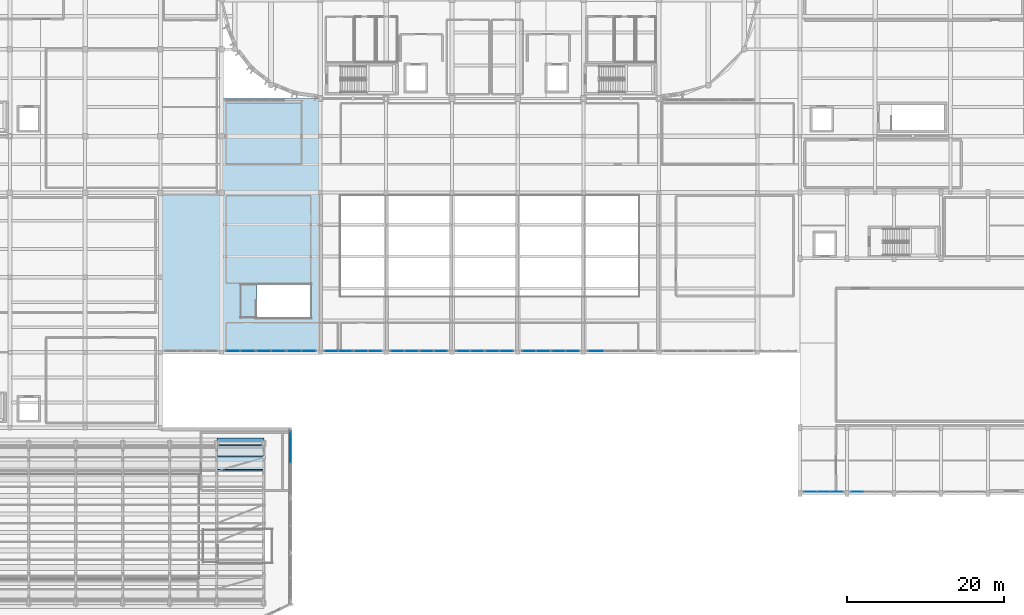
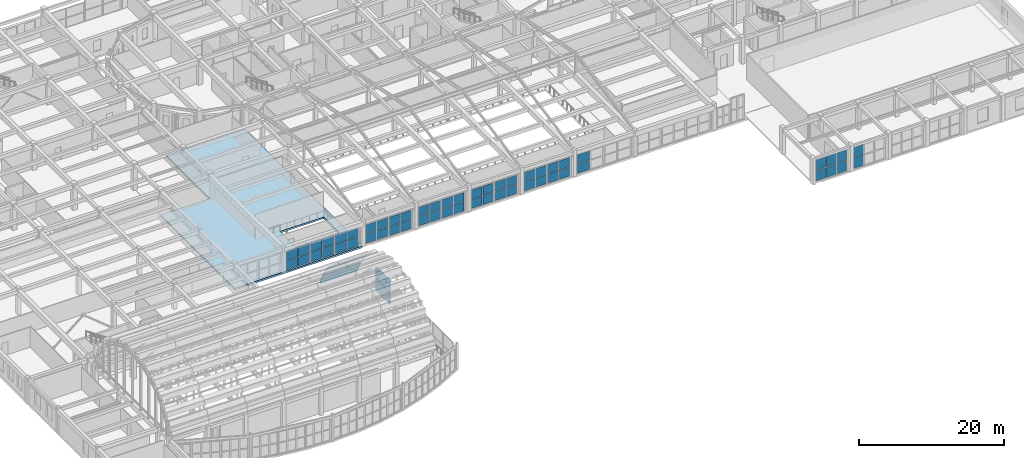
# One storey, part 59 of 91: 59 plates, 1 slab, 15 elements without a shape of their own.
"""IFC4 building model written with IfcOpenShell, lengths in metres."""

import ifcopenshell
import ifcopenshell.guid

model = None  # the IFC model being written
_history = None  # IfcOwnerHistory: only IFC2X3 demands one
_inside = {}  # id of a spatial element -> (the spatial element, [elements in it])
_under = {}  # id of a project, library or spatial element -> (it, [spatial elements below it])
_declared = {}  # id of a project -> (the project, [libraries it declares])
_typed = {}  # id of a type object -> (the type object, [elements of that type])
_made_of = {}  # id of a material, layer set ... -> (it, [elements and type objects made of it])


def new_model(schema):
    """Start an empty IFC model of exactly this schema.

    Asked for "IFC4X3", IfcOpenShell would pick the latest addendum, in which some entities
    have other attributes; the version numbers below select the first issue.
    IFC2X3 requires an IfcOwnerHistory on every rooted entity: one is made here for all.
    """
    global model, _history
    if schema == "IFC4X3":
        model = ifcopenshell.file(schema_version=(4, 3, 0, 0))
    else:
        model = ifcopenshell.file(schema=schema)
    _inside.clear()
    _under.clear()
    _declared.clear()
    _typed.clear()
    _made_of.clear()
    _history = None
    if model.schema == "IFC2X3":
        org = make("IfcOrganization", Name="unknown")
        user = make(
            "IfcPersonAndOrganization",
            ThePerson=make("IfcPerson", FamilyName="unknown"),
            TheOrganization=org,
        )
        app = make(
            "IfcApplication",
            ApplicationDeveloper=org,
            Version="unknown",
            ApplicationFullName="unknown",
            ApplicationIdentifier="unknown",
        )
        _history = make(
            "IfcOwnerHistory",
            OwningUser=user,
            OwningApplication=app,
            ChangeAction="ADDED",
            CreationDate=0,
        )
    return model


def make(cls, **values):
    """One entity of the class cls with the attributes given. An attribute that is None is left unset."""
    return model.create_entity(
        cls, **{name: value for name, value in values.items() if value is not None}
    )


def rooted(cls, **values):
    """An entity with a GlobalId (a new one), such as an element, a storey or a relation."""
    return make(cls, GlobalId=ifcopenshell.guid.new(), OwnerHistory=_history, **values)


def si_unit(unit_type, name, prefix=None):
    """IfcSIUnit, for example si_unit("LENGTHUNIT", "METRE", prefix="MILLI")."""
    return make("IfcSIUnit", UnitType=unit_type, Prefix=prefix, Name=name)


def assignment(units):
    """IfcUnitAssignment: the units of a project."""
    return None if units is None else make("IfcUnitAssignment", Units=units)


def point(xyz):
    """IfcCartesianPoint."""
    return None if xyz is None else make("IfcCartesianPoint", Coordinates=xyz)


def direction(xyz):
    """IfcDirection."""
    return None if xyz is None else make("IfcDirection", DirectionRatios=xyz)


def frame(location, z_axis=None, x_axis=None):
    """IfcAxis2Placement3D, a coordinate frame: its origin and axes. An axis left out is left unset."""
    return make(
        "IfcAxis2Placement3D",
        Location=point(location),
        Axis=direction(z_axis),
        RefDirection=direction(x_axis),
    )


def frame_2d(location, x_axis=None):
    """IfcAxis2Placement2D, a coordinate frame in the plane: its origin and x axis."""
    return make(
        "IfcAxis2Placement2D", Location=point(location), RefDirection=direction(x_axis)
    )


def origin():
    """The frame at (0, 0, 0) with its axes left unset."""
    return frame((0.0, 0.0, 0.0))


def origin_2d():
    """The frame at (0, 0) in the plane with its x axis left unset."""
    return frame_2d((0.0, 0.0))


def place(relative_to, where):
    """IfcLocalPlacement: puts the frame where relative to a parent placement (None: the world)."""
    return make(
        "IfcLocalPlacement", PlacementRelTo=relative_to, RelativePlacement=where
    )


def context(
    kind, dimensions, precision=None, world=None, true_north=None, identifier=None
):
    """IfcGeometricRepresentationContext, for example the 3D "Model" context."""
    return make(
        "IfcGeometricRepresentationContext",
        ContextIdentifier=identifier,
        ContextType=kind,
        CoordinateSpaceDimension=dimensions,
        Precision=precision,
        WorldCoordinateSystem=world,
        TrueNorth=true_north,
    )


def subcontext(parent, identifier, kind, view, scale=None):
    """IfcGeometricRepresentationSubContext, for example "Body" below "Model"."""
    return make(
        "IfcGeometricRepresentationSubContext",
        ContextIdentifier=identifier,
        ContextType=kind,
        ParentContext=parent,
        TargetScale=scale,
        TargetView=view,
    )


def project(units=None, contexts=None):
    """IfcProject with its units and contexts."""
    return rooted(
        "IfcProject",
        Name="project",
        RepresentationContexts=contexts,
        UnitsInContext=assignment(units),
    )


def spatial(cls, under=None, at=None, **own):
    """A site, building, storey or space (cls), placed at a placement, below another one or the project."""
    s = rooted(cls, ObjectPlacement=at, **own)
    if under is not None:
        _under.setdefault(under.id(), (under, []))[1].append(s)
    return s


def polyline(points):
    """IfcPolyline through the points."""
    return make("IfcPolyline", Points=[point(p) for p in points])


def profile(cls, at=None, kind="AREA", **sizes):
    """A parametric profile (cls). Its sizes go by their IFC names, for example OverallWidth=200.0."""
    return make(cls, ProfileType=kind, Position=at, **sizes)


def rectangle(**sizes):
    """IfcRectangleProfileDef."""
    return profile("IfcRectangleProfileDef", **sizes)


def outline(outer, holes=None, kind="AREA"):
    """IfcArbitraryClosedProfileDef: a profile drawn as a closed curve; with holes, ...WithVoids."""
    if holes is None:
        return make("IfcArbitraryClosedProfileDef", ProfileType=kind, OuterCurve=outer)
    return make(
        "IfcArbitraryProfileDefWithVoids",
        ProfileType=kind,
        OuterCurve=outer,
        InnerCurves=holes,
    )


def extrude(swept, where, along, depth):
    """IfcExtrudedAreaSolid: the profile swept, set in the frame where, extruded along a direction by depth."""
    return make(
        "IfcExtrudedAreaSolid",
        SweptArea=swept,
        Position=where,
        ExtrudedDirection=direction(along),
        Depth=depth,
    )


def shape(context_of_items, identifier, shape_type, items):
    """IfcShapeRepresentation: the items that make up one representation, for example the "Body"."""
    return make(
        "IfcShapeRepresentation",
        ContextOfItems=context_of_items,
        RepresentationIdentifier=identifier,
        RepresentationType=shape_type,
        Items=items,
    )


def material(Name=None, Category=None):
    """IfcMaterial."""
    return make("IfcMaterial", Name=Name, Category=Category)


def layer(
    of_material, thickness, ventilated=None, Name=None, Category=None, Priority=None
):
    """IfcMaterialLayer: one layer of a wall or slab, of a material (None: an air gap)."""
    return make(
        "IfcMaterialLayer",
        Material=of_material,
        LayerThickness=thickness,
        IsVentilated=ventilated,
        Name=Name,
        Category=Category,
        Priority=Priority,
    )


def layer_set(layers, Name=None):
    """IfcMaterialLayerSet."""
    return make("IfcMaterialLayerSet", MaterialLayers=layers, LayerSetName=Name)


def made_of(thing, what):
    """Note that an element or type object is made of a material, layer set ...; save() writes the relation."""
    if what is not None:
        _made_of.setdefault(what.id(), (what, []))[1].append(thing)
    return thing


def type_object(cls, material=None, **own):
    """A type object (cls), such as IfcWallType, which elements share."""
    return made_of(rooted(cls, **own), material)


def element(
    cls,
    number,
    at=None,
    inside=None,
    cuts=None,
    type_object=None,
    material=None,
    context=None,
    identifier="Body",
    shape_type=None,
    held_by="IfcProductDefinitionShape",
    body=None,
    shapes=None,
    **own,
):
    """One element of the class cls, such as IfcWall. Its Tag is "e" and its number.

    at: its placement. inside: the storey or other place that contains it. cuts: it is an
    opening in that element (IfcRelVoidsElement). A single representation is given by context,
    identifier, shape_type and body (its items); several are given by shapes. held_by: the class
    of the entity that holds the representations. save() writes the other relations.
    """
    e = rooted(cls, Tag="e%d" % number, ObjectPlacement=at, **own)
    if body is not None:
        shapes = [shape(context, identifier, shape_type, body)]
    if shapes is not None:
        e.Representation = make(held_by, Representations=shapes)
    if inside is not None:
        _inside.setdefault(inside.id(), (inside, []))[1].append(e)
    if cuts is not None:
        rooted(
            "IfcRelVoidsElement", RelatingBuildingElement=cuts, RelatedOpeningElement=e
        )
    if type_object is not None:
        _typed.setdefault(type_object.id(), (type_object, []))[1].append(e)
    return made_of(e, material)


def aggregate(whole, parts):
    """IfcRelAggregates: a whole, such as a stair, and the parts it consists of."""
    return rooted("IfcRelAggregates", RelatingObject=whole, RelatedObjects=parts)


def save(model, path):
    """Write the relations noted so far, then the file.

    IfcRelAggregates (storeys below a building ...), IfcRelContainedInSpatialStructure (elements
    in a storey), IfcRelDefinesByType, IfcRelAssociatesMaterial and IfcRelDeclares: one each for
    every whole, place, type object, material and project.
    """
    for whole, parts in _under.values():
        aggregate(whole, parts)
    for where, things in _inside.values():
        rooted(
            "IfcRelContainedInSpatialStructure",
            RelatedElements=things,
            RelatingStructure=where,
        )
    for kind, things in _typed.values():
        rooted("IfcRelDefinesByType", RelatedObjects=things, RelatingType=kind)
    for what, things in _made_of.values():
        rooted("IfcRelAssociatesMaterial", RelatedObjects=things, RelatingMaterial=what)
    for by, libraries in _declared.values():
        rooted("IfcRelDeclares", RelatingContext=by, RelatedDefinitions=libraries)
    model.write(path)


model = new_model("IFC4")

# Units and contexts
model_context = context("Model", 3, precision=1e-05, world=origin(), true_north=direction((0.0, 1.0)))
body_context = subcontext(model_context, "Body", "Model", "MODEL_VIEW")
ifc_project = project(units=[si_unit("LENGTHUNIT", "METRE"), si_unit("AREAUNIT", "SQUARE_METRE"), si_unit("VOLUMEUNIT", "CUBIC_METRE"), si_unit("PLANEANGLEUNIT", "RADIAN"), si_unit("MASSUNIT", "GRAM", prefix="KILO")], contexts=[model_context])

# Site, building, storey
site_placement = place(None, origin())
site = spatial("IfcSite", under=ifc_project, at=site_placement, CompositionType="ELEMENT")
building_placement = place(site_placement, origin())
building = spatial("IfcBuilding", under=site, at=building_placement, Name="Tarnavel Promenade Courthouse", CompositionType="ELEMENT")
storey_placement = place(building_placement, frame((0.0, 0.0, 9.89990234375)))
storey = spatial("IfcBuildingStorey", under=building, at=storey_placement, Name="L03", CompositionType="ELEMENT", Elevation=9.89990234375)

# Slab
ifc_material_1 = material(Name="Concrete C40/50", Category="concrete")
ifc_layer_1 = layer(ifc_material_1, 0.300048828125)
ifc_layer_set_1 = layer_set([ifc_layer_1], Name="Concrete C40/50")
slab_type = type_object("IfcSlabType", Name="Concrete C40/50 SLB-STK-300 (300 mm)", PredefinedType="FLOOR", material=ifc_layer_set_1)
slab_placement = place(storey_placement, frame((0.0, 0.0, -0.2998046875)))
element("IfcSlab", 1, at=slab_placement, inside=storey, type_object=slab_type, Name="L03 Winter-Garden West Concourse Slab", PredefinedType="FLOOR", context=body_context, shape_type="SweptSolid", body=[
    extrude(outline(polyline([(38.419921875, 46.800048828125), (58.780029296875, 46.800048828125), (58.780029296875, 79.179931640625), (46.219970703125, 79.179931640625), (46.219970703125, 67.179931640625), (38.419921875, 67.179931640625), (38.419921875, 46.800048828125)]), holes=[polyline([(50.695068359375, 51.199951171875), (57.60009765625, 51.199951171875), (57.60009765625, 55.5), (50.695068359375, 55.5), (50.695068359375, 51.199951171875)])]), origin(), (0.0, 0.0, 1.0), 0.2998046875),
])

# Plates
ifc_material_2 = material(Name="Standing-Seam Copper Insulated Roof Assembly")
ifc_layer_2 = layer(ifc_material_2, 0.175048828125)
ifc_layer_set_2 = layer_set([ifc_layer_2], Name="Standing-Seam Copper Insulated Roof Assembly")
plate_type_1 = type_object("IfcPlateType", Name="Standing-Seam Copper Insulated Roof Assembly PLT-VLT-V4-LOW (175 mm)", PredefinedType="SHEET", material=ifc_layer_set_2)
plate_1_placement = place(storey_placement, frame((45.60009765625, 31.868408203125, 10.72314453125), z_axis=(0.0, 0.692707578218, 0.721218559855), x_axis=(1.0, 0.0, 0.0)))
element("IfcPlate", 2, at=plate_1_placement, inside=storey, type_object=plate_type_1, Name="Barrel Vault Roof Panel V4 Bay 07 Facet 10", PredefinedType="SHEET", context=body_context, shape_type="SweptSolid", body=[
    extrude(outline(polyline([(0.0, 0.0), (6.0, 0.0), (6.0, 2.4575919647123), (0.0, 2.4575919647123), (0.0, 0.0)])), origin(), (0.0, 0.0, -1.0), 0.175048828125),
])
plate_2_placement = place(storey_placement, frame((45.60009765625, 33.640869140625, 9.020751953125), z_axis=(0.0, 0.83266118003, 0.553782772639), x_axis=(1.0, 0.0, 0.0)))
element("IfcPlate", 3, at=plate_2_placement, inside=storey, type_object=plate_type_1, Name="Barrel Vault Roof Panel V4 Bay 07 Facet 11", PredefinedType="SHEET", context=body_context, shape_type="SweptSolid", body=[
    extrude(outline(polyline([(0.0, 0.0), (6.0, 0.0), (6.0, 2.457353155399839), (0.0, 2.457353155399839), (0.0, 0.0)])), origin(), (0.0, 0.0, -1.0), 0.175048828125),
])
plate_3_placement = place(storey_placement, frame((45.60009765625, 35.001708984375, 6.974609375), z_axis=(0.0, 0.906108548718, 0.423045267011), x_axis=(1.0, 0.0, 0.0)))
element("IfcPlate", 4, at=plate_3_placement, inside=storey, type_object=plate_type_1, Name="Barrel Vault Roof Panel V4 Bay 07 Facet 12", PredefinedType="SHEET", context=body_context, shape_type="SweptSolid", body=[
    extrude(outline(polyline([(0.0, 0.0), (6.0, 0.0), (6.0, 2.0908435889725268), (0.0, 2.0908435889725268), (0.0, 0.0)])), origin(), (0.0, 0.0, -1.0), 0.175048828125),
])

# Curtain wall, plates
ifc_material_3 = material(Name="Thermally Broken Anodised Aluminium Curtain Wall System", Category="aluminium")
ifc_layer_3 = layer(ifc_material_3, 0.219970703125)
ifc_layer_set_3 = layer_set([ifc_layer_3], Name="Thermally Broken Anodised Aluminium Curtain Wall System")
curtain_wall_type_1 = type_object("IfcCurtainWallType", Name="Thermally Broken Aluminium Triple-Glazed Curtain Wall CW-DRUM", PredefinedType="NOTDEFINED", material=ifc_layer_set_3)
curtain_wall_1_placement = place(storey_placement, origin())
curtain_wall_1 = element("IfcCurtainWall", 5, at=curtain_wall_1_placement, inside=storey, type_object=curtain_wall_type_1, Name="L03 Public Drum East Return Curtain Wall 041", PredefinedType="NOTDEFINED")
ifc_material_4 = material(Name="Triple Low-E Argon Insulated Glazing", Category="glass")
ifc_layer_4 = layer(ifc_material_4, 0.048095703125)
ifc_layer_set_4 = layer_set([ifc_layer_4], Name="Triple Low-E Argon Insulated Glazing")
plate_type_2 = type_object("IfcPlateType", Name="Triple Low-E Argon Insulated Glazing Unit CWP-48 (48 mm)", PredefinedType="CURTAIN_PANEL", material=ifc_layer_set_4)
plate_4_placement = place(storey_placement, frame((54.97998046875, 34.677490234375, 0.080078125), z_axis=(0.0, 0.0, 1.0), x_axis=(0.0, 1.0, 0.0)))
plate_4 = element("IfcPlate", 6, at=plate_4_placement, type_object=plate_type_2, Name="CW-01 panel 2.1", PredefinedType="CURTAIN_PANEL", context=body_context, shape_type="SweptSolid", body=[
    extrude(rectangle(XDim=4.06494140625, YDim=0.048095703125, at=origin_2d()), origin(), (0.0, 0.0, 1.0), 1.989990234375),
])
plate_5_placement = place(storey_placement, frame((54.97998046875, 34.677490234375, 2.14990234375), z_axis=(0.0, 0.0, 1.0), x_axis=(0.0, 1.0, 0.0)))
plate_5 = element("IfcPlate", 7, at=plate_5_placement, type_object=plate_type_2, Name="CW-01 panel 2.2", PredefinedType="CURTAIN_PANEL", context=body_context, shape_type="SweptSolid", body=[
    extrude(rectangle(XDim=4.06494140625, YDim=0.048095703125, at=origin_2d()), origin(), (0.0, 0.0, 1.0), 1.989990234375),
])
aggregate(curtain_wall_1, [plate_4, plate_5])

ifc_layer_5 = layer(ifc_material_3, 0.199951171875)
ifc_layer_set_5 = layer_set([ifc_layer_5], Name="Thermally Broken Anodised Aluminium Curtain Wall System")
curtain_wall_type_2 = type_object("IfcCurtainWallType", Name="Thermally Broken Aluminium Triple-Glazed Curtain Wall CW-FOYER", PredefinedType="NOTDEFINED", material=ifc_layer_set_5)
curtain_wall_2_placement = place(storey_placement, origin())
curtain_wall_2 = element("IfcCurtainWall", 8, at=curtain_wall_2_placement, inside=storey, type_object=curtain_wall_type_2, Name="L03 Ceremonial Cloister Curtain Wall 177", PredefinedType="NOTDEFINED")
plate_6_placement = place(storey_placement, frame((121.322509765625, 29.02001953125, 0.080078125), z_axis=(0.0, 0.0, 1.0), x_axis=(1.0, 0.0, 0.0)))
plate_6 = element("IfcPlate", 9, at=plate_6_placement, type_object=plate_type_2, Name="CW-04 panel 1.1", PredefinedType="CURTAIN_PANEL", context=body_context, shape_type="SweptSolid", body=[
    extrude(rectangle(XDim=1.56494140625, YDim=0.048095703125, at=origin_2d()), origin(), (0.0, 0.0, 1.0), 1.7451171875),
])
plate_7_placement = place(storey_placement, frame((121.322509765625, 29.02001953125, 1.905029296875), z_axis=(0.0, 0.0, 1.0), x_axis=(1.0, 0.0, 0.0)))
plate_7 = element("IfcPlate", 10, at=plate_7_placement, type_object=plate_type_2, Name="CW-04 panel 1.2", PredefinedType="CURTAIN_PANEL", context=body_context, shape_type="SweptSolid", body=[
    extrude(rectangle(XDim=1.56494140625, YDim=0.048095703125, at=origin_2d()), origin(), (0.0, 0.0, 1.0), 1.7451171875),
])
plate_8_placement = place(storey_placement, frame((123.0, 29.02001953125, 0.080078125), z_axis=(0.0, 0.0, 1.0), x_axis=(1.0, 0.0, 0.0)))
plate_8 = element("IfcPlate", 11, at=plate_8_placement, type_object=plate_type_2, Name="CW-04 panel 2.1", PredefinedType="CURTAIN_PANEL", context=body_context, shape_type="SweptSolid", body=[
    extrude(rectangle(XDim=1.610107421875, YDim=0.048095703125, at=origin_2d()), origin(), (0.0, 0.0, 1.0), 1.7451171875),
])
plate_9_placement = place(storey_placement, frame((123.0, 29.02001953125, 1.905029296875), z_axis=(0.0, 0.0, 1.0), x_axis=(1.0, 0.0, 0.0)))
plate_9 = element("IfcPlate", 12, at=plate_9_placement, type_object=plate_type_2, Name="CW-04 panel 2.2", PredefinedType="CURTAIN_PANEL", context=body_context, shape_type="SweptSolid", body=[
    extrude(rectangle(XDim=1.610107421875, YDim=0.048095703125, at=origin_2d()), origin(), (0.0, 0.0, 1.0), 1.7451171875),
])
plate_10_placement = place(storey_placement, frame((124.677490234375, 29.02001953125, 0.080078125), z_axis=(0.0, 0.0, 1.0), x_axis=(1.0, 0.0, 0.0)))
plate_10 = element("IfcPlate", 13, at=plate_10_placement, type_object=plate_type_2, Name="CW-04 panel 3.1", PredefinedType="CURTAIN_PANEL", context=body_context, shape_type="SweptSolid", body=[
    extrude(rectangle(XDim=1.56494140625, YDim=0.048095703125, at=origin_2d()), origin(), (0.0, 0.0, 1.0), 1.7451171875),
])
plate_11_placement = place(storey_placement, frame((124.677490234375, 29.02001953125, 1.905029296875), z_axis=(0.0, 0.0, 1.0), x_axis=(1.0, 0.0, 0.0)))
plate_11 = element("IfcPlate", 14, at=plate_11_placement, type_object=plate_type_2, Name="CW-04 panel 3.2", PredefinedType="CURTAIN_PANEL", context=body_context, shape_type="SweptSolid", body=[
    extrude(rectangle(XDim=1.56494140625, YDim=0.048095703125, at=origin_2d()), origin(), (0.0, 0.0, 1.0), 1.7451171875),
])
aggregate(curtain_wall_2, [plate_6, plate_7, plate_8, plate_9, plate_10, plate_11])

curtain_wall_3_placement = place(storey_placement, origin())
curtain_wall_3 = element("IfcCurtainWall", 15, at=curtain_wall_3_placement, inside=storey, type_object=curtain_wall_type_2, Name="L03 Ceremonial Cloister Curtain Wall 178", PredefinedType="NOTDEFINED")
plate_12_placement = place(storey_placement, frame((127.322509765625, 29.02001953125, 0.080078125), z_axis=(0.0, 0.0, 1.0), x_axis=(1.0, 0.0, 0.0)))
plate_12 = element("IfcPlate", 16, at=plate_12_placement, type_object=plate_type_2, Name="CW-04 panel 1.1", PredefinedType="CURTAIN_PANEL", context=body_context, shape_type="SweptSolid", body=[
    extrude(rectangle(XDim=1.56494140625, YDim=0.048095703125, at=origin_2d()), origin(), (0.0, 0.0, 1.0), 1.7451171875),
])
plate_13_placement = place(storey_placement, frame((127.322509765625, 29.02001953125, 1.905029296875), z_axis=(0.0, 0.0, 1.0), x_axis=(1.0, 0.0, 0.0)))
plate_13 = element("IfcPlate", 17, at=plate_13_placement, type_object=plate_type_2, Name="CW-04 panel 1.2", PredefinedType="CURTAIN_PANEL", context=body_context, shape_type="SweptSolid", body=[
    extrude(rectangle(XDim=1.56494140625, YDim=0.048095703125, at=origin_2d()), origin(), (0.0, 0.0, 1.0), 1.7451171875),
])
aggregate(curtain_wall_3, [plate_12, plate_13])

ifc_layer_6 = layer(ifc_material_3, 0.239990234375)
ifc_layer_set_6 = layer_set([ifc_layer_6], Name="Thermally Broken Anodised Aluminium Curtain Wall System")
curtain_wall_type_3 = type_object("IfcCurtainWallType", Name="Thermally Broken Aluminium Triple-Glazed Curtain Wall CW-WG-S", PredefinedType="NOTDEFINED", material=ifc_layer_set_6)
curtain_wall_4_placement = place(storey_placement, origin())
curtain_wall_4 = element("IfcCurtainWall", 18, at=curtain_wall_4_placement, inside=storey, type_object=curtain_wall_type_3, Name="L03 Winter-Garden South Solar Curtain Wall 084", PredefinedType="NOTDEFINED")
ifc_layer_7 = layer(ifc_material_4, 0.053955078125)
ifc_layer_set_7 = layer_set([ifc_layer_7], Name="Triple Low-E Argon Insulated Glazing")
plate_type_3 = type_object("IfcPlateType", Name="Triple Low-E Argon Insulated Glazing Unit CWP-54 (54 mm)", PredefinedType="CURTAIN_PANEL", material=ifc_layer_set_7)
plate_14_placement = place(storey_placement, frame((47.66748046875, 47.0, 0.080078125), z_axis=(0.0, 0.0, 1.0), x_axis=(1.0, 0.0, 0.0)))
plate_14 = element("IfcPlate", 19, at=plate_14_placement, type_object=plate_type_3, Name="CW-02 panel 1.1", PredefinedType="CURTAIN_PANEL", context=body_context, shape_type="SweptSolid", body=[
    extrude(rectangle(XDim=1.77490234375, YDim=0.053955078125, at=origin_2d()), origin(), (0.0, 0.0, 1.0), 1.52001953125),
])
plate_15_placement = place(storey_placement, frame((47.66748046875, 47.0, 1.68017578125), z_axis=(0.0, 0.0, 1.0), x_axis=(1.0, 0.0, 0.0)))
plate_15 = element("IfcPlate", 20, at=plate_15_placement, type_object=plate_type_3, Name="CW-02 panel 1.2", PredefinedType="CURTAIN_PANEL", context=body_context, shape_type="SweptSolid", body=[
    extrude(rectangle(XDim=1.77490234375, YDim=0.053955078125, at=origin_2d()), origin(), (0.0, 0.0, 1.0), 1.52001953125),
])
plate_16_placement = place(storey_placement, frame((49.532470703125, 47.0, 0.080078125), z_axis=(0.0, 0.0, 1.0), x_axis=(1.0, 0.0, 0.0)))
plate_16 = element("IfcPlate", 21, at=plate_16_placement, type_object=plate_type_3, Name="CW-02 panel 2.1", PredefinedType="CURTAIN_PANEL", context=body_context, shape_type="SweptSolid", body=[
    extrude(rectangle(XDim=1.77490234375, YDim=0.053955078125, at=origin_2d()), origin(), (0.0, 0.0, 1.0), 1.52001953125),
])
plate_17_placement = place(storey_placement, frame((49.532470703125, 47.0, 1.68017578125), z_axis=(0.0, 0.0, 1.0), x_axis=(1.0, 0.0, 0.0)))
plate_17 = element("IfcPlate", 22, at=plate_17_placement, type_object=plate_type_3, Name="CW-02 panel 2.2", PredefinedType="CURTAIN_PANEL", context=body_context, shape_type="SweptSolid", body=[
    extrude(rectangle(XDim=1.77490234375, YDim=0.053955078125, at=origin_2d()), origin(), (0.0, 0.0, 1.0), 1.52001953125),
])
aggregate(curtain_wall_4, [plate_14, plate_15, plate_16, plate_17])

curtain_wall_5_placement = place(storey_placement, origin())
curtain_wall_5 = element("IfcCurtainWall", 23, at=curtain_wall_5_placement, inside=storey, type_object=curtain_wall_type_3, Name="L03 Winter-Garden South Solar Curtain Wall 085", PredefinedType="NOTDEFINED")
plate_18_placement = place(storey_placement, frame((51.5673828125, 47.0, 0.080078125), z_axis=(0.0, 0.0, 1.0), x_axis=(1.0, 0.0, 0.0)))
plate_18 = element("IfcPlate", 24, at=plate_18_placement, type_object=plate_type_3, Name="CW-02 panel 1.1", PredefinedType="CURTAIN_PANEL", context=body_context, shape_type="SweptSolid", body=[
    extrude(rectangle(XDim=1.77490234375, YDim=0.053955078125, at=origin_2d()), origin(), (0.0, 0.0, 1.0), 1.570068359375),
])
plate_19_placement = place(storey_placement, frame((51.5673828125, 47.0, 1.72998046875), z_axis=(0.0, 0.0, 1.0), x_axis=(1.0, 0.0, 0.0)))
plate_19 = element("IfcPlate", 25, at=plate_19_placement, type_object=plate_type_3, Name="CW-02 panel 1.2", PredefinedType="CURTAIN_PANEL", context=body_context, shape_type="SweptSolid", body=[
    extrude(rectangle(XDim=1.77490234375, YDim=0.053955078125, at=origin_2d()), origin(), (0.0, 0.0, 1.0), 1.570068359375),
])
plate_20_placement = place(storey_placement, frame((53.4326171875, 47.0, 0.080078125), z_axis=(0.0, 0.0, 1.0), x_axis=(1.0, 0.0, 0.0)))
plate_20 = element("IfcPlate", 26, at=plate_20_placement, type_object=plate_type_3, Name="CW-02 panel 2.1", PredefinedType="CURTAIN_PANEL", context=body_context, shape_type="SweptSolid", body=[
    extrude(rectangle(XDim=1.77490234375, YDim=0.053955078125, at=origin_2d()), origin(), (0.0, 0.0, 1.0), 1.570068359375),
])
plate_21_placement = place(storey_placement, frame((53.4326171875, 47.0, 1.72998046875), z_axis=(0.0, 0.0, 1.0), x_axis=(1.0, 0.0, 0.0)))
plate_21 = element("IfcPlate", 27, at=plate_21_placement, type_object=plate_type_3, Name="CW-02 panel 2.2", PredefinedType="CURTAIN_PANEL", context=body_context, shape_type="SweptSolid", body=[
    extrude(rectangle(XDim=1.77490234375, YDim=0.053955078125, at=origin_2d()), origin(), (0.0, 0.0, 1.0), 1.570068359375),
])
aggregate(curtain_wall_5, [plate_18, plate_19, plate_20, plate_21])

curtain_wall_6_placement = place(storey_placement, origin())
curtain_wall_6 = element("IfcCurtainWall", 28, at=curtain_wall_6_placement, inside=storey, type_object=curtain_wall_type_3, Name="L03 Winter-Garden South Solar Curtain Wall 086", PredefinedType="NOTDEFINED")
plate_22_placement = place(storey_placement, frame((55.467529296875, 47.0, 0.080078125), z_axis=(0.0, 0.0, 1.0), x_axis=(1.0, 0.0, 0.0)))
plate_22 = element("IfcPlate", 29, at=plate_22_placement, type_object=plate_type_3, Name="CW-02 panel 1.1", PredefinedType="CURTAIN_PANEL", context=body_context, shape_type="SweptSolid", body=[
    extrude(rectangle(XDim=1.77490234375, YDim=0.053955078125, at=origin_2d()), origin(), (0.0, 0.0, 1.0), 1.52001953125),
])
plate_23_placement = place(storey_placement, frame((55.467529296875, 47.0, 1.68017578125), z_axis=(0.0, 0.0, 1.0), x_axis=(1.0, 0.0, 0.0)))
plate_23 = element("IfcPlate", 30, at=plate_23_placement, type_object=plate_type_3, Name="CW-02 panel 1.2", PredefinedType="CURTAIN_PANEL", context=body_context, shape_type="SweptSolid", body=[
    extrude(rectangle(XDim=1.77490234375, YDim=0.053955078125, at=origin_2d()), origin(), (0.0, 0.0, 1.0), 1.52001953125),
])
plate_24_placement = place(storey_placement, frame((57.33251953125, 47.0, 0.080078125), z_axis=(0.0, 0.0, 1.0), x_axis=(1.0, 0.0, 0.0)))
plate_24 = element("IfcPlate", 31, at=plate_24_placement, type_object=plate_type_3, Name="CW-02 panel 2.1", PredefinedType="CURTAIN_PANEL", context=body_context, shape_type="SweptSolid", body=[
    extrude(rectangle(XDim=1.77490234375, YDim=0.053955078125, at=origin_2d()), origin(), (0.0, 0.0, 1.0), 1.52001953125),
])
plate_25_placement = place(storey_placement, frame((57.33251953125, 47.0, 1.68017578125), z_axis=(0.0, 0.0, 1.0), x_axis=(1.0, 0.0, 0.0)))
plate_25 = element("IfcPlate", 32, at=plate_25_placement, type_object=plate_type_3, Name="CW-02 panel 2.2", PredefinedType="CURTAIN_PANEL", context=body_context, shape_type="SweptSolid", body=[
    extrude(rectangle(XDim=1.77490234375, YDim=0.053955078125, at=origin_2d()), origin(), (0.0, 0.0, 1.0), 1.52001953125),
])
aggregate(curtain_wall_6, [plate_22, plate_23, plate_24, plate_25])

curtain_wall_7_placement = place(storey_placement, origin())
curtain_wall_7 = element("IfcCurtainWall", 33, at=curtain_wall_7_placement, inside=storey, type_object=curtain_wall_type_3, Name="L03 Winter-Garden South Solar Curtain Wall 087", PredefinedType="NOTDEFINED")
plate_26_placement = place(storey_placement, frame((60.22998046875, 47.0, 0.080078125), z_axis=(0.0, 0.0, 1.0), x_axis=(1.0, 0.0, 0.0)))
plate_26 = element("IfcPlate", 34, at=plate_26_placement, type_object=plate_type_3, Name="CW-02 panel 1.1", PredefinedType="CURTAIN_PANEL", context=body_context, shape_type="SweptSolid", body=[
    extrude(rectangle(XDim=1.699951171875, YDim=0.053955078125, at=origin_2d()), origin(), (0.0, 0.0, 1.0), 1.52001953125),
])
plate_27_placement = place(storey_placement, frame((60.22998046875, 47.0, 1.68017578125), z_axis=(0.0, 0.0, 1.0), x_axis=(1.0, 0.0, 0.0)))
plate_27 = element("IfcPlate", 35, at=plate_27_placement, type_object=plate_type_3, Name="CW-02 panel 1.2", PredefinedType="CURTAIN_PANEL", context=body_context, shape_type="SweptSolid", body=[
    extrude(rectangle(XDim=1.699951171875, YDim=0.053955078125, at=origin_2d()), origin(), (0.0, 0.0, 1.0), 1.52001953125),
])
plate_28_placement = place(storey_placement, frame((62.02001953125, 47.0, 0.080078125), z_axis=(0.0, 0.0, 1.0), x_axis=(1.0, 0.0, 0.0)))
plate_28 = element("IfcPlate", 36, at=plate_28_placement, type_object=plate_type_3, Name="CW-02 panel 2.1", PredefinedType="CURTAIN_PANEL", context=body_context, shape_type="SweptSolid", body=[
    extrude(rectangle(XDim=1.699951171875, YDim=0.053955078125, at=origin_2d()), origin(), (0.0, 0.0, 1.0), 1.52001953125),
])
plate_29_placement = place(storey_placement, frame((62.02001953125, 47.0, 1.68017578125), z_axis=(0.0, 0.0, 1.0), x_axis=(1.0, 0.0, 0.0)))
plate_29 = element("IfcPlate", 37, at=plate_29_placement, type_object=plate_type_3, Name="CW-02 panel 2.2", PredefinedType="CURTAIN_PANEL", context=body_context, shape_type="SweptSolid", body=[
    extrude(rectangle(XDim=1.699951171875, YDim=0.053955078125, at=origin_2d()), origin(), (0.0, 0.0, 1.0), 1.52001953125),
])
aggregate(curtain_wall_7, [plate_26, plate_27, plate_28, plate_29])

curtain_wall_8_placement = place(storey_placement, origin())
curtain_wall_8 = element("IfcCurtainWall", 38, at=curtain_wall_8_placement, inside=storey, type_object=curtain_wall_type_3, Name="L03 Winter-Garden South Solar Curtain Wall 088", PredefinedType="NOTDEFINED")
plate_30_placement = place(storey_placement, frame((63.97998046875, 47.0, 0.080078125), z_axis=(0.0, 0.0, 1.0), x_axis=(1.0, 0.0, 0.0)))
plate_30 = element("IfcPlate", 39, at=plate_30_placement, type_object=plate_type_3, Name="CW-02 panel 1.1", PredefinedType="CURTAIN_PANEL", context=body_context, shape_type="SweptSolid", body=[
    extrude(rectangle(XDim=1.699951171875, YDim=0.053955078125, at=origin_2d()), origin(), (0.0, 0.0, 1.0), 1.52001953125),
])
plate_31_placement = place(storey_placement, frame((63.97998046875, 47.0, 1.68017578125), z_axis=(0.0, 0.0, 1.0), x_axis=(1.0, 0.0, 0.0)))
plate_31 = element("IfcPlate", 40, at=plate_31_placement, type_object=plate_type_3, Name="CW-02 panel 1.2", PredefinedType="CURTAIN_PANEL", context=body_context, shape_type="SweptSolid", body=[
    extrude(rectangle(XDim=1.699951171875, YDim=0.053955078125, at=origin_2d()), origin(), (0.0, 0.0, 1.0), 1.52001953125),
])
plate_32_placement = place(storey_placement, frame((65.77001953125, 47.0, 0.080078125), z_axis=(0.0, 0.0, 1.0), x_axis=(1.0, 0.0, 0.0)))
plate_32 = element("IfcPlate", 41, at=plate_32_placement, type_object=plate_type_3, Name="CW-02 panel 2.1", PredefinedType="CURTAIN_PANEL", context=body_context, shape_type="SweptSolid", body=[
    extrude(rectangle(XDim=1.699951171875, YDim=0.053955078125, at=origin_2d()), origin(), (0.0, 0.0, 1.0), 1.52001953125),
])
plate_33_placement = place(storey_placement, frame((65.77001953125, 47.0, 1.68017578125), z_axis=(0.0, 0.0, 1.0), x_axis=(1.0, 0.0, 0.0)))
plate_33 = element("IfcPlate", 42, at=plate_33_placement, type_object=plate_type_3, Name="CW-02 panel 2.2", PredefinedType="CURTAIN_PANEL", context=body_context, shape_type="SweptSolid", body=[
    extrude(rectangle(XDim=1.699951171875, YDim=0.053955078125, at=origin_2d()), origin(), (0.0, 0.0, 1.0), 1.52001953125),
])
aggregate(curtain_wall_8, [plate_30, plate_31, plate_32, plate_33])

curtain_wall_9_placement = place(storey_placement, origin())
curtain_wall_9 = element("IfcCurtainWall", 43, at=curtain_wall_9_placement, inside=storey, type_object=curtain_wall_type_3, Name="L03 Winter-Garden South Solar Curtain Wall 089", PredefinedType="NOTDEFINED")
plate_34_placement = place(storey_placement, frame((68.6298828125, 47.0, 0.080078125), z_axis=(0.0, 0.0, 1.0), x_axis=(1.0, 0.0, 0.0)))
plate_34 = element("IfcPlate", 44, at=plate_34_placement, type_object=plate_type_3, Name="CW-02 panel 1.1", PredefinedType="CURTAIN_PANEL", context=body_context, shape_type="SweptSolid", body=[
    extrude(rectangle(XDim=1.699951171875, YDim=0.053955078125, at=origin_2d()), origin(), (0.0, 0.0, 1.0), 1.52001953125),
])
plate_35_placement = place(storey_placement, frame((68.6298828125, 47.0, 1.68017578125), z_axis=(0.0, 0.0, 1.0), x_axis=(1.0, 0.0, 0.0)))
plate_35 = element("IfcPlate", 45, at=plate_35_placement, type_object=plate_type_3, Name="CW-02 panel 1.2", PredefinedType="CURTAIN_PANEL", context=body_context, shape_type="SweptSolid", body=[
    extrude(rectangle(XDim=1.699951171875, YDim=0.053955078125, at=origin_2d()), origin(), (0.0, 0.0, 1.0), 1.52001953125),
])
plate_36_placement = place(storey_placement, frame((70.419921875, 47.0, 0.080078125), z_axis=(0.0, 0.0, 1.0), x_axis=(1.0, 0.0, 0.0)))
plate_36 = element("IfcPlate", 46, at=plate_36_placement, type_object=plate_type_3, Name="CW-02 panel 2.1", PredefinedType="CURTAIN_PANEL", context=body_context, shape_type="SweptSolid", body=[
    extrude(rectangle(XDim=1.699951171875, YDim=0.053955078125, at=origin_2d()), origin(), (0.0, 0.0, 1.0), 1.52001953125),
])
plate_37_placement = place(storey_placement, frame((70.419921875, 47.0, 1.68017578125), z_axis=(0.0, 0.0, 1.0), x_axis=(1.0, 0.0, 0.0)))
plate_37 = element("IfcPlate", 47, at=plate_37_placement, type_object=plate_type_3, Name="CW-02 panel 2.2", PredefinedType="CURTAIN_PANEL", context=body_context, shape_type="SweptSolid", body=[
    extrude(rectangle(XDim=1.699951171875, YDim=0.053955078125, at=origin_2d()), origin(), (0.0, 0.0, 1.0), 1.52001953125),
])
aggregate(curtain_wall_9, [plate_34, plate_35, plate_36, plate_37])

curtain_wall_10_placement = place(storey_placement, origin())
curtain_wall_10 = element("IfcCurtainWall", 48, at=curtain_wall_10_placement, inside=storey, type_object=curtain_wall_type_3, Name="L03 Winter-Garden South Solar Curtain Wall 090", PredefinedType="NOTDEFINED")
plate_38_placement = place(storey_placement, frame((72.3798828125, 47.0, 0.080078125), z_axis=(0.0, 0.0, 1.0), x_axis=(1.0, 0.0, 0.0)))
plate_38 = element("IfcPlate", 49, at=plate_38_placement, type_object=plate_type_3, Name="CW-02 panel 1.1", PredefinedType="CURTAIN_PANEL", context=body_context, shape_type="SweptSolid", body=[
    extrude(rectangle(XDim=1.699951171875, YDim=0.053955078125, at=origin_2d()), origin(), (0.0, 0.0, 1.0), 1.52001953125),
])
plate_39_placement = place(storey_placement, frame((72.3798828125, 47.0, 1.68017578125), z_axis=(0.0, 0.0, 1.0), x_axis=(1.0, 0.0, 0.0)))
plate_39 = element("IfcPlate", 50, at=plate_39_placement, type_object=plate_type_3, Name="CW-02 panel 1.2", PredefinedType="CURTAIN_PANEL", context=body_context, shape_type="SweptSolid", body=[
    extrude(rectangle(XDim=1.699951171875, YDim=0.053955078125, at=origin_2d()), origin(), (0.0, 0.0, 1.0), 1.52001953125),
])
plate_40_placement = place(storey_placement, frame((74.169921875, 47.0, 0.080078125), z_axis=(0.0, 0.0, 1.0), x_axis=(1.0, 0.0, 0.0)))
plate_40 = element("IfcPlate", 51, at=plate_40_placement, type_object=plate_type_3, Name="CW-02 panel 2.1", PredefinedType="CURTAIN_PANEL", context=body_context, shape_type="SweptSolid", body=[
    extrude(rectangle(XDim=1.699951171875, YDim=0.053955078125, at=origin_2d()), origin(), (0.0, 0.0, 1.0), 1.52001953125),
])
plate_41_placement = place(storey_placement, frame((74.169921875, 47.0, 1.68017578125), z_axis=(0.0, 0.0, 1.0), x_axis=(1.0, 0.0, 0.0)))
plate_41 = element("IfcPlate", 52, at=plate_41_placement, type_object=plate_type_3, Name="CW-02 panel 2.2", PredefinedType="CURTAIN_PANEL", context=body_context, shape_type="SweptSolid", body=[
    extrude(rectangle(XDim=1.699951171875, YDim=0.053955078125, at=origin_2d()), origin(), (0.0, 0.0, 1.0), 1.52001953125),
])
aggregate(curtain_wall_10, [plate_38, plate_39, plate_40, plate_41])

curtain_wall_11_placement = place(storey_placement, origin())
curtain_wall_11 = element("IfcCurtainWall", 53, at=curtain_wall_11_placement, inside=storey, type_object=curtain_wall_type_3, Name="L03 Winter-Garden South Solar Curtain Wall 091", PredefinedType="NOTDEFINED")
plate_42_placement = place(storey_placement, frame((77.030029296875, 47.0, 0.080078125), z_axis=(0.0, 0.0, 1.0), x_axis=(1.0, 0.0, 0.0)))
plate_42 = element("IfcPlate", 54, at=plate_42_placement, type_object=plate_type_3, Name="CW-02 panel 1.1", PredefinedType="CURTAIN_PANEL", context=body_context, shape_type="SweptSolid", body=[
    extrude(rectangle(XDim=1.699951171875, YDim=0.053955078125, at=origin_2d()), origin(), (0.0, 0.0, 1.0), 1.52001953125),
])
plate_43_placement = place(storey_placement, frame((77.030029296875, 47.0, 1.68017578125), z_axis=(0.0, 0.0, 1.0), x_axis=(1.0, 0.0, 0.0)))
plate_43 = element("IfcPlate", 55, at=plate_43_placement, type_object=plate_type_3, Name="CW-02 panel 1.2", PredefinedType="CURTAIN_PANEL", context=body_context, shape_type="SweptSolid", body=[
    extrude(rectangle(XDim=1.699951171875, YDim=0.053955078125, at=origin_2d()), origin(), (0.0, 0.0, 1.0), 1.52001953125),
])
plate_44_placement = place(storey_placement, frame((78.820068359375, 47.0, 0.080078125), z_axis=(0.0, 0.0, 1.0), x_axis=(1.0, 0.0, 0.0)))
plate_44 = element("IfcPlate", 56, at=plate_44_placement, type_object=plate_type_3, Name="CW-02 panel 2.1", PredefinedType="CURTAIN_PANEL", context=body_context, shape_type="SweptSolid", body=[
    extrude(rectangle(XDim=1.699951171875, YDim=0.053955078125, at=origin_2d()), origin(), (0.0, 0.0, 1.0), 1.52001953125),
])
plate_45_placement = place(storey_placement, frame((78.820068359375, 47.0, 1.68017578125), z_axis=(0.0, 0.0, 1.0), x_axis=(1.0, 0.0, 0.0)))
plate_45 = element("IfcPlate", 57, at=plate_45_placement, type_object=plate_type_3, Name="CW-02 panel 2.2", PredefinedType="CURTAIN_PANEL", context=body_context, shape_type="SweptSolid", body=[
    extrude(rectangle(XDim=1.699951171875, YDim=0.053955078125, at=origin_2d()), origin(), (0.0, 0.0, 1.0), 1.52001953125),
])
aggregate(curtain_wall_11, [plate_42, plate_43, plate_44, plate_45])

curtain_wall_12_placement = place(storey_placement, origin())
curtain_wall_12 = element("IfcCurtainWall", 58, at=curtain_wall_12_placement, inside=storey, type_object=curtain_wall_type_3, Name="L03 Winter-Garden South Solar Curtain Wall 092", PredefinedType="NOTDEFINED")
plate_46_placement = place(storey_placement, frame((80.780029296875, 47.0, 0.080078125), z_axis=(0.0, 0.0, 1.0), x_axis=(1.0, 0.0, 0.0)))
plate_46 = element("IfcPlate", 59, at=plate_46_placement, type_object=plate_type_3, Name="CW-02 panel 1.1", PredefinedType="CURTAIN_PANEL", context=body_context, shape_type="SweptSolid", body=[
    extrude(rectangle(XDim=1.699951171875, YDim=0.053955078125, at=origin_2d()), origin(), (0.0, 0.0, 1.0), 1.52001953125),
])
plate_47_placement = place(storey_placement, frame((80.780029296875, 47.0, 1.68017578125), z_axis=(0.0, 0.0, 1.0), x_axis=(1.0, 0.0, 0.0)))
plate_47 = element("IfcPlate", 60, at=plate_47_placement, type_object=plate_type_3, Name="CW-02 panel 1.2", PredefinedType="CURTAIN_PANEL", context=body_context, shape_type="SweptSolid", body=[
    extrude(rectangle(XDim=1.699951171875, YDim=0.053955078125, at=origin_2d()), origin(), (0.0, 0.0, 1.0), 1.52001953125),
])
plate_48_placement = place(storey_placement, frame((82.570068359375, 47.0, 0.080078125), z_axis=(0.0, 0.0, 1.0), x_axis=(1.0, 0.0, 0.0)))
plate_48 = element("IfcPlate", 61, at=plate_48_placement, type_object=plate_type_3, Name="CW-02 panel 2.1", PredefinedType="CURTAIN_PANEL", context=body_context, shape_type="SweptSolid", body=[
    extrude(rectangle(XDim=1.699951171875, YDim=0.053955078125, at=origin_2d()), origin(), (0.0, 0.0, 1.0), 1.52001953125),
])
plate_49_placement = place(storey_placement, frame((82.570068359375, 47.0, 1.68017578125), z_axis=(0.0, 0.0, 1.0), x_axis=(1.0, 0.0, 0.0)))
plate_49 = element("IfcPlate", 62, at=plate_49_placement, type_object=plate_type_3, Name="CW-02 panel 2.2", PredefinedType="CURTAIN_PANEL", context=body_context, shape_type="SweptSolid", body=[
    extrude(rectangle(XDim=1.699951171875, YDim=0.053955078125, at=origin_2d()), origin(), (0.0, 0.0, 1.0), 1.52001953125),
])
aggregate(curtain_wall_12, [plate_46, plate_47, plate_48, plate_49])

curtain_wall_13_placement = place(storey_placement, origin())
curtain_wall_13 = element("IfcCurtainWall", 63, at=curtain_wall_13_placement, inside=storey, type_object=curtain_wall_type_3, Name="L03 Winter-Garden South Solar Curtain Wall 093", PredefinedType="NOTDEFINED")
plate_50_placement = place(storey_placement, frame((85.429931640625, 47.0, 0.080078125), z_axis=(0.0, 0.0, 1.0), x_axis=(1.0, 0.0, 0.0)))
plate_50 = element("IfcPlate", 64, at=plate_50_placement, type_object=plate_type_3, Name="CW-02 panel 1.1", PredefinedType="CURTAIN_PANEL", context=body_context, shape_type="SweptSolid", body=[
    extrude(rectangle(XDim=1.699951171875, YDim=0.053955078125, at=origin_2d()), origin(), (0.0, 0.0, 1.0), 1.52001953125),
])
plate_51_placement = place(storey_placement, frame((85.429931640625, 47.0, 1.68017578125), z_axis=(0.0, 0.0, 1.0), x_axis=(1.0, 0.0, 0.0)))
plate_51 = element("IfcPlate", 65, at=plate_51_placement, type_object=plate_type_3, Name="CW-02 panel 1.2", PredefinedType="CURTAIN_PANEL", context=body_context, shape_type="SweptSolid", body=[
    extrude(rectangle(XDim=1.699951171875, YDim=0.053955078125, at=origin_2d()), origin(), (0.0, 0.0, 1.0), 1.52001953125),
])
plate_52_placement = place(storey_placement, frame((87.219970703125, 47.0, 0.080078125), z_axis=(0.0, 0.0, 1.0), x_axis=(1.0, 0.0, 0.0)))
plate_52 = element("IfcPlate", 66, at=plate_52_placement, type_object=plate_type_3, Name="CW-02 panel 2.1", PredefinedType="CURTAIN_PANEL", context=body_context, shape_type="SweptSolid", body=[
    extrude(rectangle(XDim=1.699951171875, YDim=0.053955078125, at=origin_2d()), origin(), (0.0, 0.0, 1.0), 1.52001953125),
])
plate_53_placement = place(storey_placement, frame((87.219970703125, 47.0, 1.68017578125), z_axis=(0.0, 0.0, 1.0), x_axis=(1.0, 0.0, 0.0)))
plate_53 = element("IfcPlate", 67, at=plate_53_placement, type_object=plate_type_3, Name="CW-02 panel 2.2", PredefinedType="CURTAIN_PANEL", context=body_context, shape_type="SweptSolid", body=[
    extrude(rectangle(XDim=1.699951171875, YDim=0.053955078125, at=origin_2d()), origin(), (0.0, 0.0, 1.0), 1.52001953125),
])
aggregate(curtain_wall_13, [plate_50, plate_51, plate_52, plate_53])

curtain_wall_14_placement = place(storey_placement, origin())
curtain_wall_14 = element("IfcCurtainWall", 68, at=curtain_wall_14_placement, inside=storey, type_object=curtain_wall_type_3, Name="L03 Winter-Garden South Solar Curtain Wall 094", PredefinedType="NOTDEFINED")
plate_54_placement = place(storey_placement, frame((89.179931640625, 47.0, 0.080078125), z_axis=(0.0, 0.0, 1.0), x_axis=(1.0, 0.0, 0.0)))
plate_54 = element("IfcPlate", 69, at=plate_54_placement, type_object=plate_type_3, Name="CW-02 panel 1.1", PredefinedType="CURTAIN_PANEL", context=body_context, shape_type="SweptSolid", body=[
    extrude(rectangle(XDim=1.699951171875, YDim=0.053955078125, at=origin_2d()), origin(), (0.0, 0.0, 1.0), 1.52001953125),
])
plate_55_placement = place(storey_placement, frame((89.179931640625, 47.0, 1.68017578125), z_axis=(0.0, 0.0, 1.0), x_axis=(1.0, 0.0, 0.0)))
plate_55 = element("IfcPlate", 70, at=plate_55_placement, type_object=plate_type_3, Name="CW-02 panel 1.2", PredefinedType="CURTAIN_PANEL", context=body_context, shape_type="SweptSolid", body=[
    extrude(rectangle(XDim=1.699951171875, YDim=0.053955078125, at=origin_2d()), origin(), (0.0, 0.0, 1.0), 1.52001953125),
])
plate_56_placement = place(storey_placement, frame((90.969970703125, 47.0, 0.080078125), z_axis=(0.0, 0.0, 1.0), x_axis=(1.0, 0.0, 0.0)))
plate_56 = element("IfcPlate", 71, at=plate_56_placement, type_object=plate_type_3, Name="CW-02 panel 2.1", PredefinedType="CURTAIN_PANEL", context=body_context, shape_type="SweptSolid", body=[
    extrude(rectangle(XDim=1.699951171875, YDim=0.053955078125, at=origin_2d()), origin(), (0.0, 0.0, 1.0), 1.52001953125),
])
plate_57_placement = place(storey_placement, frame((90.969970703125, 47.0, 1.68017578125), z_axis=(0.0, 0.0, 1.0), x_axis=(1.0, 0.0, 0.0)))
plate_57 = element("IfcPlate", 72, at=plate_57_placement, type_object=plate_type_3, Name="CW-02 panel 2.2", PredefinedType="CURTAIN_PANEL", context=body_context, shape_type="SweptSolid", body=[
    extrude(rectangle(XDim=1.699951171875, YDim=0.053955078125, at=origin_2d()), origin(), (0.0, 0.0, 1.0), 1.52001953125),
])
aggregate(curtain_wall_14, [plate_54, plate_55, plate_56, plate_57])

curtain_wall_15_placement = place(storey_placement, origin())
curtain_wall_15 = element("IfcCurtainWall", 73, at=curtain_wall_15_placement, inside=storey, type_object=curtain_wall_type_3, Name="L03 Winter-Garden South Solar Curtain Wall 095", PredefinedType="NOTDEFINED")
plate_58_placement = place(storey_placement, frame((93.97998046875, 47.0, 0.080078125), z_axis=(0.0, 0.0, 1.0), x_axis=(1.0, 0.0, 0.0)))
plate_58 = element("IfcPlate", 74, at=plate_58_placement, type_object=plate_type_3, Name="CW-02 panel 1.1", PredefinedType="CURTAIN_PANEL", context=body_context, shape_type="SweptSolid", body=[
    extrude(rectangle(XDim=2.0, YDim=0.053955078125, at=origin_2d()), origin(), (0.0, 0.0, 1.0), 1.52001953125),
])
plate_59_placement = place(storey_placement, frame((93.97998046875, 47.0, 1.68017578125), z_axis=(0.0, 0.0, 1.0), x_axis=(1.0, 0.0, 0.0)))
plate_59 = element("IfcPlate", 75, at=plate_59_placement, type_object=plate_type_3, Name="CW-02 panel 1.2", PredefinedType="CURTAIN_PANEL", context=body_context, shape_type="SweptSolid", body=[
    extrude(rectangle(XDim=2.0, YDim=0.053955078125, at=origin_2d()), origin(), (0.0, 0.0, 1.0), 1.52001953125),
])
aggregate(curtain_wall_15, [plate_58, plate_59])

save(model, "model.ifc")
